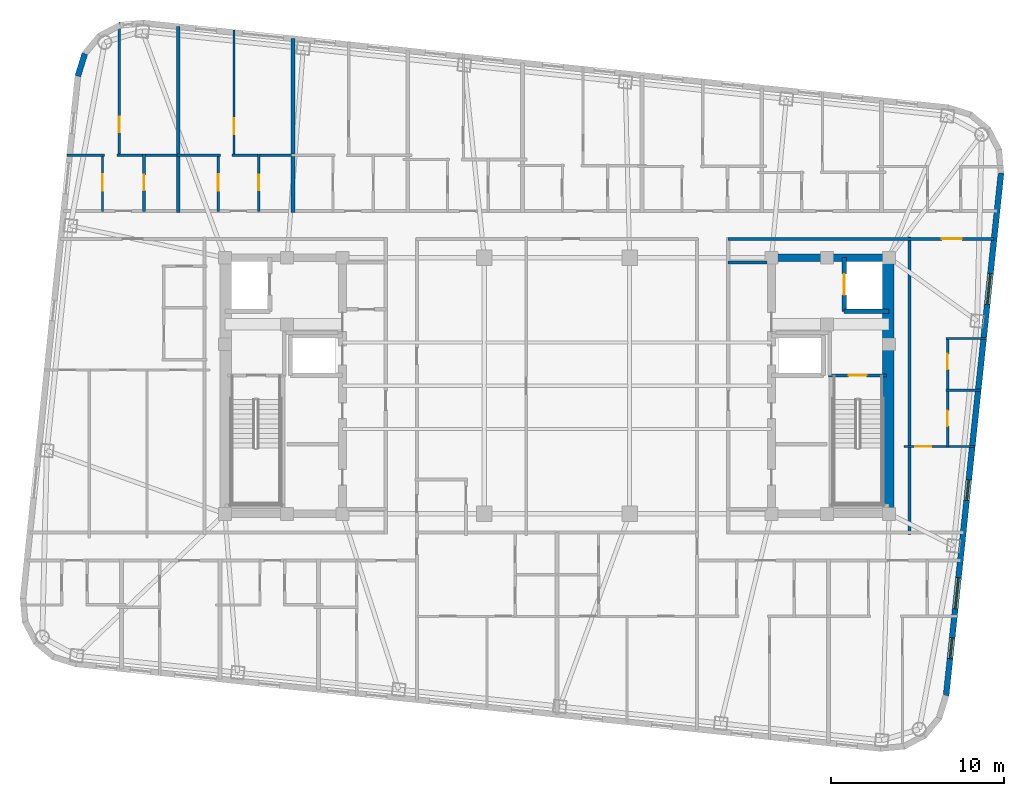
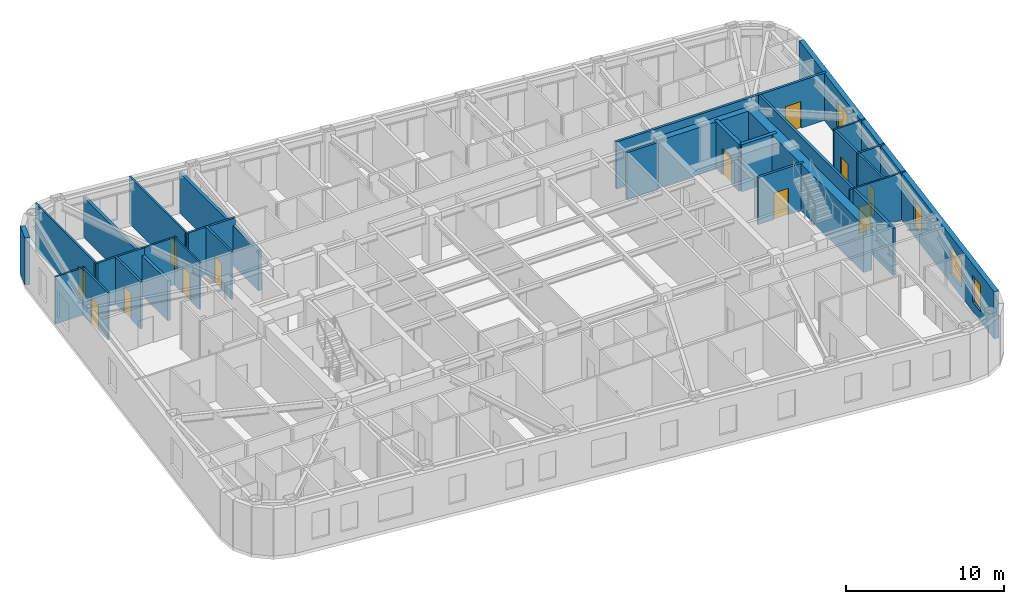
# One storey, part 7 of 11: 27 walls, 12 doors, 4 windows, 16 openings.
"""IFC4 building model written with IfcOpenShell, lengths in metres."""

from ifc_helpers import new_model, si_unit, direction, frame, frame_2d, origin, place, context, subcontext, project, spatial, rectangle, extrude, material, layer, layer_set, type_object, element, fill, save


model = new_model("IFC4")

# Units and contexts
model_context = context("Model", 3, precision=1e-05, world=origin(), true_north=direction((0.0, 1.0)))
body_context = subcontext(model_context, "Body", "Model", "MODEL_VIEW")
ifc_project = project(units=[si_unit("LENGTHUNIT", "METRE"), si_unit("AREAUNIT", "SQUARE_METRE"), si_unit("VOLUMEUNIT", "CUBIC_METRE"), si_unit("PLANEANGLEUNIT", "RADIAN"), si_unit("MASSUNIT", "GRAM", prefix="KILO")], contexts=[model_context])

# Site, building, storey
site_placement = place(None, origin())
site = spatial("IfcSite", under=ifc_project, at=site_placement, CompositionType="ELEMENT")
building_placement = place(site_placement, origin())
building = spatial("IfcBuilding", under=site, at=building_placement, Name="Voryun Gate Residences", CompositionType="ELEMENT")
storey_placement = place(building_placement, frame((0.0, 0.0, 271.699951171875)))
storey = spatial("IfcBuildingStorey", under=building, at=storey_placement, Name="L67", CompositionType="ELEMENT", Elevation=271.699951171875)

# Walls
ifc_material_1 = material(Name="Concrete C50/60", Category="concrete")
ifc_layer_1 = layer(ifc_material_1, 0.449951171875, Name="CW_CORE_450")
ifc_layer_set_1 = layer_set([ifc_layer_1], Name="Concrete C50/60")
wall_type_1 = type_object("IfcWallType", Name="CW_CORE_450", PredefinedType="SHEAR", material=ifc_layer_set_1)
wall_1_placement = place(storey_placement, frame((12.175048828125, 7.39990234375, 0.0), z_axis=(0.0, 0.0, 1.0), x_axis=(1.0, 0.0, 0.0)))
element("IfcWall", 1, at=wall_1_placement, inside=storey, type_object=wall_type_1, Name="L67 Core shear wall CW-L67-EN", PredefinedType="SHEAR", context=body_context, shape_type="SweptSolid", body=[
    extrude(rectangle(XDim=7.25, YDim=0.449951171875, at=frame_2d((3.625, 0.0))), origin(), (0.0, 0.0, 1.0), 3.650146484375),
])
ifc_material_2 = material(Name="Concrete C60/75", Category="concrete")
ifc_layer_2 = layer(ifc_material_2, 0.64990234375, Name="CW_CORE_650")
ifc_layer_set_2 = layer_set([ifc_layer_2], Name="Concrete C60/75")
wall_type_2 = type_object("IfcWallType", Name="CW_CORE_650", PredefinedType="SHEAR", material=ifc_layer_set_2)
wall_2_placement = place(storey_placement, frame((19.14501953125, -7.39990234375, 0.0), z_axis=(0.0, 0.0, 1.0), x_axis=(0.0, 1.0, 0.0)))
element("IfcWall", 2, at=wall_2_placement, inside=storey, type_object=wall_type_2, Name="L67 Core shear wall CW-L67-EE", PredefinedType="SHEAR", context=body_context, shape_type="SweptSolid", body=[
    extrude(rectangle(XDim=14.7998046875, YDim=0.64990234375, at=frame_2d((7.39990234375, 0.0))), origin(), (0.0, 0.0, 1.0), 3.650146484375),
])

# Wall, opening, door
ifc_material_3 = material(Name="Gypsum acoustic fireboard")
ifc_layer_3 = layer(ifc_material_3, 0.179931640625, Name="W_CORR_RATED_180")
ifc_layer_set_3 = layer_set([ifc_layer_3], Name="Gypsum acoustic fireboard")
wall_type_3 = type_object("IfcWallType", Name="W_CORR_RATED_180", PredefinedType="PARTITIONING", material=ifc_layer_set_3)
wall_3_placement = place(storey_placement, frame((15.699951171875, 0.60009765625, 0.0), z_axis=(0.0, 0.0, 1.0), x_axis=(1.0, 0.0, 0.0)))
wall_3 = element("IfcWall", 3, at=wall_3_placement, inside=storey, type_object=wall_type_3, Name="Partition wall WP-L67-STV-E", PredefinedType="PARTITIONING", context=body_context, shape_type="SweptSolid", body=[
    extrude(rectangle(XDim=3.360107421875, YDim=0.179931640625, at=frame_2d((1.68017578125, 0.0))), origin(), (0.0, 0.0, 1.0), 3.650146484375),
])
opening_1_placement = place(wall_3_placement, frame((1.155029296875, 0.0, 0.0)))
opening_1 = element("IfcOpeningElement", 4, at=opening_1_placement, cuts=wall_3, Name="Opening D-FD60-1", PredefinedType="OPENING", context=body_context, shape_type="SweptSolid", body=[
    extrude(rectangle(XDim=1.050048828125, YDim=2.050048828125, at=frame_2d((0.52490234375, 1.02490234375))), frame((0.0, 0.099853515625, 0.0), z_axis=(0.0, -1.0, 0.0), x_axis=(1.0, 0.0, 0.0)), (0.0, 0.0, 1.0), 0.199951171875),
])
ifc_material_4 = material(Name="Painted steel fire door", Category="steel")
door_type_1 = type_object("IfcDoorType", Name="DR_FD60_STAIR_1050", OperationType="NOTDEFINED", PredefinedType="DOOR", material=ifc_material_4)
door_1_placement = place(opening_1_placement, origin())
door_1 = element("IfcDoor", 5, at=door_1_placement, inside=storey, type_object=door_type_1, Name="Door DR-L67-ST-E", OperationType="SINGLE_SWING_RIGHT", OverallHeight=2.050048828125, OverallWidth=1.050048828125, PredefinedType="DOOR", context=body_context, shape_type="SweptSolid", body=[
    extrude(rectangle(XDim=1.050048828125, YDim=2.050048828125, at=frame_2d((0.52490234375, 1.02490234375))), frame((0.0, 0.02490234375, 0.0), z_axis=(0.0, -1.0, 0.0), x_axis=(1.0, 0.0, 0.0)), (0.0, 0.0, 1.0), 0.050048828125),
])
fill(opening_1, door_1)

# Wall
wall_4_placement = place(storey_placement, frame((9.8798828125, 7.1201171875, 0.0), z_axis=(0.0, 0.0, 1.0), x_axis=(1.0, 0.0, 0.0)))
element("IfcWall", 6, at=wall_4_placement, inside=storey, type_object=wall_type_3, Name="Partition wall WP-L67-PLBN-E", PredefinedType="PARTITIONING", context=body_context, shape_type="SweptSolid", body=[
    extrude(rectangle(XDim=2.27001953125, YDim=0.179931640625, at=frame_2d((1.135009765625, 0.0))), origin(), (0.0, 0.0, 1.0), 3.650146484375),
])

# Wall, opening, door
wall_5_placement = place(storey_placement, frame((9.8798828125, 8.489990234375, 0.0), z_axis=(0.0, 0.0, 1.0), x_axis=(1.0, 0.0, 0.0)))
wall_5 = element("IfcWall", 7, at=wall_5_placement, inside=storey, type_object=wall_type_3, Name="Partition wall WP-L67-CWING-EN", PredefinedType="PARTITIONING", context=body_context, shape_type="SweptSolid", body=[
    extrude(rectangle(XDim=15.39013671875, YDim=0.179931640625, at=frame_2d((7.695068359375, 0.0))), origin(), (0.0, 0.0, 1.0), 3.650146484375),
])
opening_2_placement = place(wall_5_placement, frame((12.36962890625, 0.0, 0.0)))
opening_2 = element("IfcOpeningElement", 8, at=opening_2_placement, cuts=wall_5, Name="Opening D-UNIT-1", PredefinedType="OPENING", context=body_context, shape_type="SweptSolid", body=[
    extrude(rectangle(XDim=1.14990234375, YDim=2.050048828125, at=frame_2d((0.574951171875, 1.02490234375))), frame((0.0, 0.099853515625, 0.0), z_axis=(0.0, -1.0, 0.0), x_axis=(1.0, 0.0, 0.0)), (0.0, 0.0, 1.0), 0.199951171875),
])
ifc_material_5 = material(Name="Armoured timber-clad fire door", Category="wood")
door_type_2 = type_object("IfcDoorType", Name="DR_UNIT_ENTRY_1150", OperationType="NOTDEFINED", PredefinedType="DOOR", material=ifc_material_5)
door_2_placement = place(opening_2_placement, origin())
door_2 = element("IfcDoor", 9, at=door_2_placement, inside=storey, type_object=door_type_2, Name="Door DR-L67-EE1N", OperationType="SINGLE_SWING_LEFT", OverallHeight=2.050048828125, OverallWidth=1.14990234375, PredefinedType="DOOR", context=body_context, shape_type="SweptSolid", body=[
    extrude(rectangle(XDim=1.14990234375, YDim=2.050048828125, at=frame_2d((0.574951171875, 1.02490234375))), frame((0.0, 0.02490234375, 0.0), z_axis=(0.0, -1.0, 0.0), x_axis=(1.0, 0.0, 0.0)), (0.0, 0.0, 1.0), 0.050048828125),
])
fill(opening_2, door_2)

# Walls
wall_6_placement = place(storey_placement, frame((20.3701171875, -8.610107421875, 0.0), z_axis=(0.0, 0.0, 1.0), x_axis=(0.0, 1.0, 0.0)))
element("IfcWall", 10, at=wall_6_placement, inside=storey, type_object=wall_type_3, Name="Partition wall WP-L67-ECOR", PredefinedType="PARTITIONING", context=body_context, shape_type="SweptSolid", body=[
    extrude(rectangle(XDim=17.22021484375, YDim=0.179931640625, at=frame_2d((8.610107421875, 0.0))), origin(), (0.0, 0.0, 1.0), 3.650146484375),
])
ifc_material_6 = material(Name="Charcoal terracotta masonry", Category="masonry")
ifc_layer_4 = layer(ifc_material_6, 0.340087890625, Name="W_EXT_TERRACOTTA_340")
ifc_layer_set_4 = layer_set([ifc_layer_4], Name="Charcoal terracotta masonry")
wall_type_4 = type_object("IfcWallType", Name="W_EXT_TERRACOTTA_340", PredefinedType="ELEMENTEDWALL", material=ifc_layer_set_4)
wall_7_placement = place(storey_placement, frame((-27.69580078125, 17.904541015625, 0.0), z_axis=(0.0, 0.0, 1.0), x_axis=(0.296416228123, 0.955058856671, 0.0)))
element("IfcWall", 11, at=wall_7_placement, inside=storey, type_object=wall_type_4, Name="Exterior wall WEXT-L67-07", PredefinedType="ELEMENTEDWALL", context=body_context, shape_type="SweptSolid", body=[
    extrude(rectangle(XDim=1.35400390625, YDim=0.340087890625, at=frame_2d((0.677001953125, 0.0))), origin(), (0.0, 0.0, 1.0), 3.650146484375),
])

# Wall, openings, windows
wall_8_placement = place(storey_placement, frame((25.670166015625, 12.295654296875, 0.0), z_axis=(0.0, 0.0, 1.0), x_axis=(-0.104533282919, -0.994521388791, 0.0)))
wall_8 = element("IfcWall", 12, at=wall_8_placement, inside=storey, type_object=wall_type_4, Name="Exterior wall WEXT-L67-16", PredefinedType="ELEMENTEDWALL", context=body_context, shape_type="SweptSolid", body=[
    extrude(rectangle(XDim=30.366455078125, YDim=0.340087890625, at=frame_2d((15.18310546875, 0.0))), origin(), (0.0, 0.0, 1.0), 3.650146484375),
])
opening_3_placement = place(wall_8_placement, frame((5.841552734375, 0.0, 0.75)))
opening_3 = element("IfcOpeningElement", 13, at=opening_3_placement, cuts=wall_8, Name="Opening WN1", PredefinedType="OPENING", context=body_context, shape_type="SweptSolid", body=[
    extrude(rectangle(XDim=1.800048828125, YDim=2.10009765625, at=frame_2d((0.89990234375, 1.050048828125))), frame((0.0, 0.179931640625, 0.0), z_axis=(0.0, -1.0, 0.0), x_axis=(1.0, 0.0, 0.0)), (0.0, 0.0, 1.0), 0.360107421875),
])
opening_4_placement = place(wall_8_placement, frame((23.52490234375, 0.0, 0.75)))
opening_4 = element("IfcOpeningElement", 14, at=opening_4_placement, cuts=wall_8, Name="Opening WN1", PredefinedType="OPENING", context=body_context, shape_type="SweptSolid", body=[
    extrude(rectangle(XDim=1.800048828125, YDim=2.10009765625, at=frame_2d((0.89990234375, 1.050048828125))), frame((0.0, 0.179931640625, 0.0), z_axis=(0.0, -1.0, 0.0), x_axis=(1.0, 0.0, 0.0)), (0.0, 0.0, 1.0), 0.360107421875),
])
opening_5_placement = place(wall_8_placement, frame((27.0166015625, 0.0, 0.75)))
opening_5 = element("IfcOpeningElement", 15, at=opening_5_placement, cuts=wall_8, Name="Opening WN6", PredefinedType="OPENING", context=body_context, shape_type="SweptSolid", body=[
    extrude(rectangle(XDim=1.199951171875, YDim=2.050048828125, at=frame_2d((0.60009765625, 1.02490234375))), frame((0.0, 0.179931640625, 0.0), z_axis=(0.0, -1.0, 0.0), x_axis=(1.0, 0.0, 0.0)), (0.0, 0.0, 1.0), 0.360107421875),
])
opening_6_placement = place(wall_8_placement, frame((17.828857421875, 0.0, 0.75)))
opening_6 = element("IfcOpeningElement", 16, at=opening_6_placement, cuts=wall_8, Name="Opening WN6", PredefinedType="OPENING", context=body_context, shape_type="SweptSolid", body=[
    extrude(rectangle(XDim=1.199951171875, YDim=2.050048828125, at=frame_2d((0.60009765625, 1.02490234375))), frame((0.0, 0.179931640625, 0.0), z_axis=(0.0, -1.0, 0.0), x_axis=(1.0, 0.0, 0.0)), (0.0, 0.0, 1.0), 0.360107421875),
])
ifc_material_7 = material(Name="Laminated low-E glass", Category="glass")
window_type_1 = type_object("IfcWindowType", Name="WN_POD_SLOT_1200", PartitioningType="SINGLE_PANEL", PredefinedType="WINDOW", material=ifc_material_7)
window_1_placement = place(opening_5_placement, origin())
window_1 = element("IfcWindow", 17, at=window_1_placement, inside=storey, type_object=window_type_1, Name="Window WN-L67-DWFIX-23", OverallHeight=2.050048828125, OverallWidth=1.199951171875, PartitioningType="SINGLE_PANEL", PredefinedType="WINDOW", context=body_context, shape_type="SweptSolid", body=[
    extrude(rectangle(XDim=1.199951171875, YDim=2.050048828125, at=frame_2d((0.60009765625, 1.02490234375))), frame((0.0, 0.030029296875, 0.0), z_axis=(0.0, -1.0, 0.0), x_axis=(1.0, 0.0, 0.0)), (0.0, 0.0, 1.0), 0.06005859375),
])
fill(opening_5, window_1)
window_2_placement = place(opening_6_placement, origin())
window_2 = element("IfcWindow", 18, at=window_2_placement, inside=storey, type_object=window_type_1, Name="Window WN-L67-DWFIX-28", OverallHeight=2.050048828125, OverallWidth=1.199951171875, PartitioningType="SINGLE_PANEL", PredefinedType="WINDOW", context=body_context, shape_type="SweptSolid", body=[
    extrude(rectangle(XDim=1.199951171875, YDim=2.050048828125, at=frame_2d((0.60009765625, 1.02490234375))), frame((0.0, 0.030029296875, 0.0), z_axis=(0.0, -1.0, 0.0), x_axis=(1.0, 0.0, 0.0)), (0.0, 0.0, 1.0), 0.06005859375),
])
fill(opening_6, window_2)
ifc_material_8 = material(Name="Laminated low-E glass", Category="glass")
window_type_2 = type_object("IfcWindowType", Name="WN_RES_PUNCH_1800", PartitioningType="SINGLE_PANEL", PredefinedType="WINDOW", material=ifc_material_8)
window_3_placement = place(opening_3_placement, origin())
window_3 = element("IfcWindow", 19, at=window_3_placement, inside=storey, type_object=window_type_2, Name="Window WN-WEXT-L67-16-01", OverallHeight=2.10009765625, OverallWidth=1.800048828125, PartitioningType="SINGLE_PANEL", PredefinedType="WINDOW", context=body_context, shape_type="SweptSolid", body=[
    extrude(rectangle(XDim=1.800048828125, YDim=2.10009765625, at=frame_2d((0.89990234375, 1.050048828125))), frame((0.0, 0.030029296875, 0.0), z_axis=(0.0, -1.0, 0.0), x_axis=(1.0, 0.0, 0.0)), (0.0, 0.0, 1.0), 0.06005859375),
])
fill(opening_3, window_3)
window_4_placement = place(opening_4_placement, origin())
window_4 = element("IfcWindow", 20, at=window_4_placement, inside=storey, type_object=window_type_2, Name="Window WN-WEXT-L67-16-02", OverallHeight=2.10009765625, OverallWidth=1.800048828125, PartitioningType="SINGLE_PANEL", PredefinedType="WINDOW", context=body_context, shape_type="SweptSolid", body=[
    extrude(rectangle(XDim=1.800048828125, YDim=2.10009765625, at=frame_2d((0.89990234375, 1.050048828125))), frame((0.0, 0.030029296875, 0.0), z_axis=(0.0, -1.0, 0.0), x_axis=(1.0, 0.0, 0.0)), (0.0, 0.0, 1.0), 0.06005859375),
])
fill(opening_4, window_4)

# Walls
ifc_material_9 = material(Name="Concrete C40/50", Category="concrete")
ifc_layer_5 = layer(ifc_material_9, 0.219970703125, Name="W_PARTY_ACOUSTIC_220")
ifc_layer_set_5 = layer_set([ifc_layer_5], Name="Concrete C40/50")
wall_type_5 = type_object("IfcWallType", Name="W_PARTY_ACOUSTIC_220", PredefinedType="PARTITIONING", material=ifc_layer_set_5)
wall_9_placement = place(storey_placement, frame((-21.89111328125, 10.02001953125, 0.0), z_axis=(0.0, 0.0, 1.0), x_axis=(0.0, 1.0, 0.0)))
element("IfcWall", 21, at=wall_9_placement, inside=storey, type_object=wall_type_5, Name="Partition wall WP-L67-NPTY-1", PredefinedType="PARTITIONING", context=body_context, shape_type="SweptSolid", body=[
    extrude(rectangle(XDim=10.740234375, YDim=0.219970703125, at=frame_2d((5.3701171875, 0.0))), origin(), (0.0, 0.0, 1.0), 3.090087890625),
])
wall_10_placement = place(storey_placement, frame((-15.260009765625, 10.02001953125, 0.0), z_axis=(0.0, 0.0, 1.0), x_axis=(0.0, 1.0, 0.0)))
element("IfcWall", 22, at=wall_10_placement, inside=storey, type_object=wall_type_5, Name="Partition wall WP-L67-NPTY-2", PredefinedType="PARTITIONING", context=body_context, shape_type="SweptSolid", body=[
    extrude(rectangle(XDim=10.043212890625, YDim=0.219970703125, at=frame_2d((5.021484375, 0.0))), origin(), (0.0, 0.0, 1.0), 3.090087890625),
])
ifc_material_10 = material(Name="Concrete C50/60", Category="concrete")
ifc_layer_6 = layer(ifc_material_10, 0.25, Name="W_SHAFT_RC250")
ifc_layer_set_6 = layer_set([ifc_layer_6], Name="Concrete C50/60")
wall_type_6 = type_object("IfcWallType", Name="W_SHAFT_RC250", PredefinedType="SOLIDWALL", material=ifc_layer_set_6)
wall_11_placement = place(storey_placement, frame((16.60009765625, 4.300048828125, 0.0), z_axis=(0.0, 0.0, 1.0), x_axis=(1.0, 0.0, 0.0)))
element("IfcWall", 23, at=wall_11_placement, inside=storey, type_object=wall_type_6, Name="Lift shaft wall WSH-L67-EL-FF-E1-S", PredefinedType="SOLIDWALL", context=body_context, shape_type="SweptSolid", body=[
    extrude(rectangle(XDim=2.599853515625, YDim=0.25, at=frame_2d((1.2998046875, 0.0))), origin(), (0.0, 0.0, 1.0), 3.650146484375),
])

# Wall, opening, door
wall_12_placement = place(storey_placement, frame((16.60009765625, 7.39990234375, 0.0), z_axis=(0.0, 0.0, 1.0), x_axis=(0.0, -1.0, 0.0)))
wall_12 = element("IfcWall", 24, at=wall_12_placement, inside=storey, type_object=wall_type_6, Name="Lift shaft wall WSH-L67-EL-FF-E1-W", PredefinedType="SOLIDWALL", context=body_context, shape_type="SweptSolid", body=[
    extrude(rectangle(XDim=3.099853515625, YDim=0.25, at=frame_2d((1.5498046875, 0.0))), origin(), (0.0, 0.0, 1.0), 3.650146484375),
])
opening_7_placement = place(wall_12_placement, frame((0.949951171875, 0.0, 0.0)))
opening_7 = element("IfcOpeningElement", 25, at=opening_7_placement, cuts=wall_12, Name="Opening LD1", PredefinedType="OPENING", context=body_context, shape_type="SweptSolid", body=[
    extrude(rectangle(XDim=1.199951171875, YDim=2.050048828125, at=frame_2d((0.60009765625, 1.02490234375))), frame((0.0, 0.135009765625, 0.0), z_axis=(0.0, -1.0, 0.0), x_axis=(1.0, 0.0, 0.0)), (0.0, 0.0, 1.0), 0.27001953125),
])
ifc_material_11 = material(Name="Anodised aluminium", Category="aluminium")
door_type_3 = type_object("IfcDoorType", Name="DR_LD_FF_1200", OperationType="NOTDEFINED", PredefinedType="DOOR", material=ifc_material_11)
door_3_placement = place(opening_7_placement, origin())
door_3 = element("IfcDoor", 26, at=door_3_placement, inside=storey, type_object=door_type_3, Name="Lift EL-FF-E1 sliding landing door L67", OperationType="SLIDING_TO_LEFT", OverallHeight=2.050048828125, OverallWidth=1.199951171875, PredefinedType="DOOR", context=body_context, shape_type="SweptSolid", body=[
    extrude(rectangle(XDim=1.199951171875, YDim=2.050048828125, at=frame_2d((0.60009765625, 1.02490234375))), frame((0.0, 0.02490234375, 0.0), z_axis=(0.0, -1.0, 0.0), x_axis=(1.0, 0.0, 0.0)), (0.0, 0.0, 1.0), 0.050048828125),
])
fill(opening_7, door_3)

ifc_material_12 = material(Name="Gypsum acoustic partition")
ifc_layer_7 = layer(ifc_material_12, 0.125, Name="W_UNIT_PART_125")
ifc_layer_set_7 = layer_set([ifc_layer_7], Name="Gypsum acoustic partition")
wall_type_7 = type_object("IfcWallType", Name="W_UNIT_PART_125", PredefinedType="PARTITIONING", material=ifc_layer_set_7)
wall_13_placement = place(storey_placement, frame((-25.301025390625, 13.239990234375, 0.0), z_axis=(0.0, 0.0, 1.0), x_axis=(0.0, 1.0, 0.0)))
wall_13 = element("IfcWall", 27, at=wall_13_placement, inside=storey, type_object=wall_type_7, Name="Partition wall WP-L67-N1-OVR", PredefinedType="PARTITIONING", context=body_context, shape_type="SweptSolid", body=[
    extrude(rectangle(XDim=7.751220703125, YDim=0.125, at=frame_2d((3.87548828125, 0.0))), origin(), (0.0, 0.0, 1.0), 3.650146484375),
])
opening_8_placement = place(wall_13_placement, frame((1.410400390625, 0.0, 0.0)))
opening_8 = element("IfcOpeningElement", 28, at=opening_8_placement, cuts=wall_13, Name="Opening D-INT-2", PredefinedType="OPENING", context=body_context, shape_type="SweptSolid", body=[
    extrude(rectangle(XDim=0.89990234375, YDim=2.050048828125, at=frame_2d((0.449951171875, 1.02490234375))), frame((0.0, 0.072509765625, 0.0), z_axis=(0.0, -1.0, 0.0), x_axis=(1.0, 0.0, 0.0)), (0.0, 0.0, 1.0), 0.14501953125),
])
ifc_material_13 = material(Name="Architectural oak veneer")
door_type_4 = type_object("IfcDoorType", Name="DR_INT_BATH_900", OperationType="NOTDEFINED", PredefinedType="DOOR", material=ifc_material_13)
door_4_placement = place(opening_8_placement, origin())
door_4 = element("IfcDoor", 29, at=door_4_placement, inside=storey, type_object=door_type_4, Name="Door DR-L67-N1-DMB", OperationType="SINGLE_SWING_RIGHT", OverallHeight=2.050048828125, OverallWidth=0.89990234375, PredefinedType="DOOR", context=body_context, shape_type="SweptSolid", body=[
    extrude(rectangle(XDim=0.89990234375, YDim=2.050048828125, at=frame_2d((0.449951171875, 1.02490234375))), frame((0.0, 0.02490234375, 0.0), z_axis=(0.0, -1.0, 0.0), x_axis=(1.0, 0.0, 0.0)), (0.0, 0.0, 1.0), 0.050048828125),
])
fill(opening_8, door_4)

wall_14_placement = place(storey_placement, frame((-26.27099609375, 10.080078125, 0.0), z_axis=(0.0, 0.0, 1.0), x_axis=(0.0, 1.0, 0.0)))
wall_14 = element("IfcWall", 30, at=wall_14_placement, inside=storey, type_object=wall_type_7, Name="Partition wall WP-L67-N1-IVK", PredefinedType="PARTITIONING", context=body_context, shape_type="SweptSolid", body=[
    extrude(rectangle(XDim=3.31982421875, YDim=0.125, at=frame_2d((1.659912109375, 0.0))), origin(), (0.0, 0.0, 1.0), 3.650146484375),
])
opening_9_placement = place(wall_14_placement, frame((1.18505859375, 0.0, 0.0)))
opening_9 = element("IfcOpeningElement", 31, at=opening_9_placement, cuts=wall_14, Name="Opening D-INT-1", PredefinedType="OPENING", context=body_context, shape_type="SweptSolid", body=[
    extrude(rectangle(XDim=0.949951171875, YDim=2.050048828125, at=frame_2d((0.47509765625, 1.02490234375))), frame((0.0, 0.072509765625, 0.0), z_axis=(0.0, -1.0, 0.0), x_axis=(1.0, 0.0, 0.0)), (0.0, 0.0, 1.0), 0.14501953125),
])
ifc_material_14 = material(Name="Architectural oak veneer")
door_type_5 = type_object("IfcDoorType", Name="DR_INT_ROOM_950", OperationType="NOTDEFINED", PredefinedType="DOOR", material=ifc_material_14)
door_5_placement = place(opening_9_placement, origin())
door_5 = element("IfcDoor", 32, at=door_5_placement, inside=storey, type_object=door_type_5, Name="Door DR-L67-N1-DK", OperationType="SINGLE_SWING_LEFT", OverallHeight=2.050048828125, OverallWidth=0.949951171875, PredefinedType="DOOR", context=body_context, shape_type="SweptSolid", body=[
    extrude(rectangle(XDim=0.949951171875, YDim=2.050048828125, at=frame_2d((0.47509765625, 1.02490234375))), frame((0.0, 0.02490234375, 0.0), z_axis=(0.0, -1.0, 0.0), x_axis=(1.0, 0.0, 0.0)), (0.0, 0.0, 1.0), 0.050048828125),
])
fill(opening_9, door_5)

# Wall
wall_15_placement = place(storey_placement, frame((-28.32861328125, 13.320068359375, 0.0), z_axis=(0.0, 0.0, 1.0), x_axis=(1.0, 0.0, 0.0)))
element("IfcWall", 33, at=wall_15_placement, inside=storey, type_object=wall_type_7, Name="Partition wall WP-L67-N1-HZK", PredefinedType="PARTITIONING", context=body_context, shape_type="SweptSolid", body=[
    extrude(rectangle(XDim=2.177734375, YDim=0.125, at=frame_2d((1.0888671875, 0.0))), origin(), (0.0, 0.0, 1.0), 3.650146484375),
])

# Wall, opening, door
wall_16_placement = place(storey_placement, frame((-18.669921875, 13.239990234375, 0.0), z_axis=(0.0, 0.0, 1.0), x_axis=(0.0, 1.0, 0.0)))
wall_16 = element("IfcWall", 34, at=wall_16_placement, inside=storey, type_object=wall_type_7, Name="Partition wall WP-L67-N2-OVR", PredefinedType="PARTITIONING", context=body_context, shape_type="SweptSolid", body=[
    extrude(rectangle(XDim=7.33251953125, YDim=0.125, at=frame_2d((3.666259765625, 0.0))), origin(), (0.0, 0.0, 1.0), 3.650146484375),
])
opening_10_placement = place(wall_16_placement, frame((1.309814453125, 0.0, 0.0)))
opening_10 = element("IfcOpeningElement", 35, at=opening_10_placement, cuts=wall_16, Name="Opening D-INT-2", PredefinedType="OPENING", context=body_context, shape_type="SweptSolid", body=[
    extrude(rectangle(XDim=0.89990234375, YDim=2.050048828125, at=frame_2d((0.449951171875, 1.02490234375))), frame((0.0, 0.072509765625, 0.0), z_axis=(0.0, -1.0, 0.0), x_axis=(1.0, 0.0, 0.0)), (0.0, 0.0, 1.0), 0.14501953125),
])
door_6_placement = place(opening_10_placement, origin())
door_6 = element("IfcDoor", 36, at=door_6_placement, inside=storey, type_object=door_type_4, Name="Door DR-L67-N2-DMB", OperationType="SINGLE_SWING_RIGHT", OverallHeight=2.050048828125, OverallWidth=0.89990234375, PredefinedType="DOOR", context=body_context, shape_type="SweptSolid", body=[
    extrude(rectangle(XDim=0.89990234375, YDim=2.050048828125, at=frame_2d((0.449951171875, 1.02490234375))), frame((0.0, 0.02490234375, 0.0), z_axis=(0.0, -1.0, 0.0), x_axis=(1.0, 0.0, 0.0)), (0.0, 0.0, 1.0), 0.050048828125),
])
fill(opening_10, door_6)

wall_17_placement = place(storey_placement, frame((-19.5810546875, 10.080078125, 0.0), z_axis=(0.0, 0.0, 1.0), x_axis=(0.0, 1.0, 0.0)))
wall_17 = element("IfcWall", 37, at=wall_17_placement, inside=storey, type_object=wall_type_7, Name="Partition wall WP-L67-N2-IVK", PredefinedType="PARTITIONING", context=body_context, shape_type="SweptSolid", body=[
    extrude(rectangle(XDim=3.31982421875, YDim=0.125, at=frame_2d((1.659912109375, 0.0))), origin(), (0.0, 0.0, 1.0), 3.650146484375),
])
opening_11_placement = place(wall_17_placement, frame((1.18505859375, 0.0, 0.0)))
opening_11 = element("IfcOpeningElement", 38, at=opening_11_placement, cuts=wall_17, Name="Opening D-INT-1", PredefinedType="OPENING", context=body_context, shape_type="SweptSolid", body=[
    extrude(rectangle(XDim=0.949951171875, YDim=2.050048828125, at=frame_2d((0.47509765625, 1.02490234375))), frame((0.0, 0.072509765625, 0.0), z_axis=(0.0, -1.0, 0.0), x_axis=(1.0, 0.0, 0.0)), (0.0, 0.0, 1.0), 0.14501953125),
])
door_7_placement = place(opening_11_placement, origin())
door_7 = element("IfcDoor", 39, at=door_7_placement, inside=storey, type_object=door_type_5, Name="Door DR-L67-N2-DK", OperationType="SINGLE_SWING_LEFT", OverallHeight=2.050048828125, OverallWidth=0.949951171875, PredefinedType="DOOR", context=body_context, shape_type="SweptSolid", body=[
    extrude(rectangle(XDim=0.949951171875, YDim=2.050048828125, at=frame_2d((0.47509765625, 1.02490234375))), frame((0.0, 0.02490234375, 0.0), z_axis=(0.0, -1.0, 0.0), x_axis=(1.0, 0.0, 0.0)), (0.0, 0.0, 1.0), 0.050048828125),
])
fill(opening_11, door_7)

# Walls
wall_18_placement = place(storey_placement, frame((-21.966064453125, 13.320068359375, 0.0), z_axis=(0.0, 0.0, 1.0), x_axis=(1.0, 0.0, 0.0)))
element("IfcWall", 40, at=wall_18_placement, inside=storey, type_object=wall_type_7, Name="Partition wall WP-L67-N2-HZK", PredefinedType="PARTITIONING", context=body_context, shape_type="SweptSolid", body=[
    extrude(rectangle(XDim=2.505126953125, YDim=0.125, at=frame_2d((1.25244140625, 0.0))), origin(), (0.0, 0.0, 1.0), 3.650146484375),
])
wall_19_placement = place(storey_placement, frame((22.498046875, 2.739990234375, 0.0), z_axis=(0.0, 0.0, 1.0), x_axis=(1.0, 0.0, 0.0)))
element("IfcWall", 41, at=wall_19_placement, inside=storey, type_object=wall_type_7, Name="Partition wall WP-L67-E1-HZ1", PredefinedType="PARTITIONING", context=body_context, shape_type="SweptSolid", body=[
    extrude(rectangle(XDim=2.318603515625, YDim=0.125, at=frame_2d((1.1591796875, 0.0))), origin(), (0.0, 0.0, 1.0), 3.650146484375),
])

# Wall, opening, door
wall_20_placement = place(storey_placement, frame((20.050048828125, -3.510009765625, 0.0), z_axis=(0.0, 0.0, 1.0), x_axis=(1.0, 0.0, 0.0)))
wall_20 = element("IfcWall", 42, at=wall_20_placement, inside=storey, type_object=wall_type_7, Name="Partition wall WP-L67-E1-HZ3", PredefinedType="PARTITIONING", context=body_context, shape_type="SweptSolid", body=[
    extrude(rectangle(XDim=4.109619140625, YDim=0.125, at=frame_2d((2.0546875, 0.0))), origin(), (0.0, 0.0, 1.0), 3.650146484375),
])
opening_12_placement = place(wall_20_placement, frame((0.674072265625, 0.0, 0.0)))
opening_12 = element("IfcOpeningElement", 43, at=opening_12_placement, cuts=wall_20, Name="Opening D-INT-2", PredefinedType="OPENING", context=body_context, shape_type="SweptSolid", body=[
    extrude(rectangle(XDim=0.89990234375, YDim=2.050048828125, at=frame_2d((0.449951171875, 1.02490234375))), frame((0.0, 0.072509765625, 0.0), z_axis=(0.0, -1.0, 0.0), x_axis=(1.0, 0.0, 0.0)), (0.0, 0.0, 1.0), 0.14501953125),
])
door_8_placement = place(opening_12_placement, origin())
door_8 = element("IfcDoor", 44, at=door_8_placement, inside=storey, type_object=door_type_4, Name="Door DR-L67-E1-DMB", OperationType="SINGLE_SWING_LEFT", OverallHeight=2.050048828125, OverallWidth=0.89990234375, PredefinedType="DOOR", context=body_context, shape_type="SweptSolid", body=[
    extrude(rectangle(XDim=0.89990234375, YDim=2.050048828125, at=frame_2d((0.449951171875, 1.02490234375))), frame((0.0, 0.02490234375, 0.0), z_axis=(0.0, -1.0, 0.0), x_axis=(1.0, 0.0, 0.0)), (0.0, 0.0, 1.0), 0.050048828125),
])
fill(opening_12, door_8)

# Wall
ifc_material_15 = material(Name="Gypsum moisture-resistant partition")
ifc_layer_8 = layer(ifc_material_15, 0.14990234375, Name="W_WET_PLUMB_150")
ifc_layer_set_8 = layer_set([ifc_layer_8], Name="Gypsum moisture-resistant partition")
wall_type_8 = type_object("IfcWallType", Name="W_WET_PLUMB_150", PredefinedType="PLUMBINGWALL", material=ifc_layer_set_8)
wall_21_placement = place(storey_placement, frame((-25.4208984375, 13.320068359375, 0.0), z_axis=(0.0, 0.0, 1.0), x_axis=(1.0, 0.0, 0.0)))
element("IfcWall", 45, at=wall_21_placement, inside=storey, type_object=wall_type_8, Name="Partition wall WP-L67-N1-HZB", PredefinedType="PLUMBINGWALL", context=body_context, shape_type="SweptSolid", body=[
    extrude(rectangle(XDim=3.60498046875, YDim=0.14990234375, at=frame_2d((1.802490234375, 0.0))), origin(), (0.0, 0.0, 1.0), 3.650146484375),
])

# Wall, opening, door
wall_22_placement = place(storey_placement, frame((-23.87109375, 10.080078125, 0.0), z_axis=(0.0, 0.0, 1.0), x_axis=(0.0, 1.0, 0.0)))
wall_22 = element("IfcWall", 46, at=wall_22_placement, inside=storey, type_object=wall_type_8, Name="Partition wall WP-L67-N1-IVB", PredefinedType="PLUMBINGWALL", context=body_context, shape_type="SweptSolid", body=[
    extrude(rectangle(XDim=3.31982421875, YDim=0.14990234375, at=frame_2d((1.659912109375, 0.0))), origin(), (0.0, 0.0, 1.0), 3.650146484375),
])
opening_13_placement = place(wall_22_placement, frame((1.2099609375, 0.0, 0.0)))
opening_13 = element("IfcOpeningElement", 47, at=opening_13_placement, cuts=wall_22, Name="Opening D-INT-2", PredefinedType="OPENING", context=body_context, shape_type="SweptSolid", body=[
    extrude(rectangle(XDim=0.89990234375, YDim=2.050048828125, at=frame_2d((0.449951171875, 1.02490234375))), frame((0.0, 0.0849609375, 0.0), z_axis=(0.0, -1.0, 0.0), x_axis=(1.0, 0.0, 0.0)), (0.0, 0.0, 1.0), 0.169921875),
])
door_9_placement = place(opening_13_placement, origin())
door_9 = element("IfcDoor", 48, at=door_9_placement, inside=storey, type_object=door_type_4, Name="Door DR-L67-N1-DB", OperationType="SINGLE_SWING_RIGHT", OverallHeight=2.050048828125, OverallWidth=0.89990234375, PredefinedType="DOOR", context=body_context, shape_type="SweptSolid", body=[
    extrude(rectangle(XDim=0.89990234375, YDim=2.050048828125, at=frame_2d((0.449951171875, 1.02490234375))), frame((0.0, 0.02490234375, 0.0), z_axis=(0.0, -1.0, 0.0), x_axis=(1.0, 0.0, 0.0)), (0.0, 0.0, 1.0), 0.050048828125),
])
fill(opening_13, door_9)

# Wall
wall_23_placement = place(storey_placement, frame((-18.7900390625, 13.320068359375, 0.0), z_axis=(0.0, 0.0, 1.0), x_axis=(1.0, 0.0, 0.0)))
element("IfcWall", 49, at=wall_23_placement, inside=storey, type_object=wall_type_8, Name="Partition wall WP-L67-N2-HZB", PredefinedType="PLUMBINGWALL", context=body_context, shape_type="SweptSolid", body=[
    extrude(rectangle(XDim=3.60498046875, YDim=0.14990234375, at=frame_2d((1.802490234375, 0.0))), origin(), (0.0, 0.0, 1.0), 3.650146484375),
])

# Wall, opening, door
wall_24_placement = place(storey_placement, frame((-17.239990234375, 10.080078125, 0.0), z_axis=(0.0, 0.0, 1.0), x_axis=(0.0, 1.0, 0.0)))
wall_24 = element("IfcWall", 50, at=wall_24_placement, inside=storey, type_object=wall_type_8, Name="Partition wall WP-L67-N2-IVB", PredefinedType="PLUMBINGWALL", context=body_context, shape_type="SweptSolid", body=[
    extrude(rectangle(XDim=3.31982421875, YDim=0.14990234375, at=frame_2d((1.659912109375, 0.0))), origin(), (0.0, 0.0, 1.0), 3.650146484375),
])
opening_14_placement = place(wall_24_placement, frame((1.2099609375, 0.0, 0.0)))
opening_14 = element("IfcOpeningElement", 51, at=opening_14_placement, cuts=wall_24, Name="Opening D-INT-2", PredefinedType="OPENING", context=body_context, shape_type="SweptSolid", body=[
    extrude(rectangle(XDim=0.89990234375, YDim=2.050048828125, at=frame_2d((0.449951171875, 1.02490234375))), frame((0.0, 0.0849609375, 0.0), z_axis=(0.0, -1.0, 0.0), x_axis=(1.0, 0.0, 0.0)), (0.0, 0.0, 1.0), 0.169921875),
])
door_10_placement = place(opening_14_placement, origin())
door_10 = element("IfcDoor", 52, at=door_10_placement, inside=storey, type_object=door_type_4, Name="Door DR-L67-N2-DB", OperationType="SINGLE_SWING_RIGHT", OverallHeight=2.050048828125, OverallWidth=0.89990234375, PredefinedType="DOOR", context=body_context, shape_type="SweptSolid", body=[
    extrude(rectangle(XDim=0.89990234375, YDim=2.050048828125, at=frame_2d((0.449951171875, 1.02490234375))), frame((0.0, 0.02490234375, 0.0), z_axis=(0.0, -1.0, 0.0), x_axis=(1.0, 0.0, 0.0)), (0.0, 0.0, 1.0), 0.050048828125),
])
fill(opening_14, door_10)

# Wall
wall_25_placement = place(storey_placement, frame((22.498046875, -0.260009765625, 0.0), z_axis=(0.0, 0.0, 1.0), x_axis=(1.0, 0.0, 0.0)))
element("IfcWall", 53, at=wall_25_placement, inside=storey, type_object=wall_type_8, Name="Partition wall WP-L67-E1-HZ2", PredefinedType="PLUMBINGWALL", context=body_context, shape_type="SweptSolid", body=[
    extrude(rectangle(XDim=2.003173828125, YDim=0.14990234375, at=frame_2d((1.00146484375, 0.0))), origin(), (0.0, 0.0, 1.0), 3.650146484375),
])

# Wall, opening, door
wall_26_placement = place(storey_placement, frame((22.577880859375, -3.550048828125, 0.0), z_axis=(0.0, 0.0, 1.0), x_axis=(0.0, 1.0, 0.0)))
wall_26 = element("IfcWall", 54, at=wall_26_placement, inside=storey, type_object=wall_type_8, Name="Partition wall WP-L67-E1-VKB1", PredefinedType="PLUMBINGWALL", context=body_context, shape_type="SweptSolid", body=[
    extrude(rectangle(XDim=3.330078125, YDim=0.14990234375, at=frame_2d((1.6650390625, 0.0))), origin(), (0.0, 0.0, 1.0), 3.650146484375),
])
opening_15_placement = place(wall_26_placement, frame((1.215087890625, 0.0, 0.0)))
opening_15 = element("IfcOpeningElement", 55, at=opening_15_placement, cuts=wall_26, Name="Opening D-INT-2", PredefinedType="OPENING", context=body_context, shape_type="SweptSolid", body=[
    extrude(rectangle(XDim=0.89990234375, YDim=2.050048828125, at=frame_2d((0.449951171875, 1.02490234375))), frame((0.0, 0.0849609375, 0.0), z_axis=(0.0, -1.0, 0.0), x_axis=(1.0, 0.0, 0.0)), (0.0, 0.0, 1.0), 0.169921875),
])
door_11_placement = place(opening_15_placement, origin())
door_11 = element("IfcDoor", 56, at=door_11_placement, inside=storey, type_object=door_type_4, Name="Door DR-L67-E1-DB", OperationType="SINGLE_SWING_LEFT", OverallHeight=2.050048828125, OverallWidth=0.89990234375, PredefinedType="DOOR", context=body_context, shape_type="SweptSolid", body=[
    extrude(rectangle(XDim=0.89990234375, YDim=2.050048828125, at=frame_2d((0.449951171875, 1.02490234375))), frame((0.0, 0.02490234375, 0.0), z_axis=(0.0, -1.0, 0.0), x_axis=(1.0, 0.0, 0.0)), (0.0, 0.0, 1.0), 0.050048828125),
])
fill(opening_15, door_11)

wall_27_placement = place(storey_placement, frame((22.577880859375, -0.300048828125, 0.0), z_axis=(0.0, 0.0, 1.0), x_axis=(0.0, 1.0, 0.0)))
wall_27 = element("IfcWall", 57, at=wall_27_placement, inside=storey, type_object=wall_type_8, Name="Partition wall WP-L67-E1-VKB2", PredefinedType="PLUMBINGWALL", context=body_context, shape_type="SweptSolid", body=[
    extrude(rectangle(XDim=3.080078125, YDim=0.14990234375, at=frame_2d((1.5400390625, 0.0))), origin(), (0.0, 0.0, 1.0), 3.650146484375),
])
opening_16_placement = place(wall_27_placement, frame((1.243896484375, 0.0, 0.0)))
opening_16 = element("IfcOpeningElement", 58, at=opening_16_placement, cuts=wall_27, Name="Opening D-INT-2", PredefinedType="OPENING", context=body_context, shape_type="SweptSolid", body=[
    extrude(rectangle(XDim=0.89990234375, YDim=2.050048828125, at=frame_2d((0.449951171875, 1.02490234375))), frame((0.0, 0.0849609375, 0.0), z_axis=(0.0, -1.0, 0.0), x_axis=(1.0, 0.0, 0.0)), (0.0, 0.0, 1.0), 0.169921875),
])
door_12_placement = place(opening_16_placement, origin())
door_12 = element("IfcDoor", 59, at=door_12_placement, inside=storey, type_object=door_type_4, Name="Door DR-L67-E1-DK", OperationType="SINGLE_SWING_RIGHT", OverallHeight=2.050048828125, OverallWidth=0.89990234375, PredefinedType="DOOR", context=body_context, shape_type="SweptSolid", body=[
    extrude(rectangle(XDim=0.89990234375, YDim=2.050048828125, at=frame_2d((0.449951171875, 1.02490234375))), frame((0.0, 0.02490234375, 0.0), z_axis=(0.0, -1.0, 0.0), x_axis=(1.0, 0.0, 0.0)), (0.0, 0.0, 1.0), 0.050048828125),
])
fill(opening_16, door_12)

save(model, "model.ifc")
